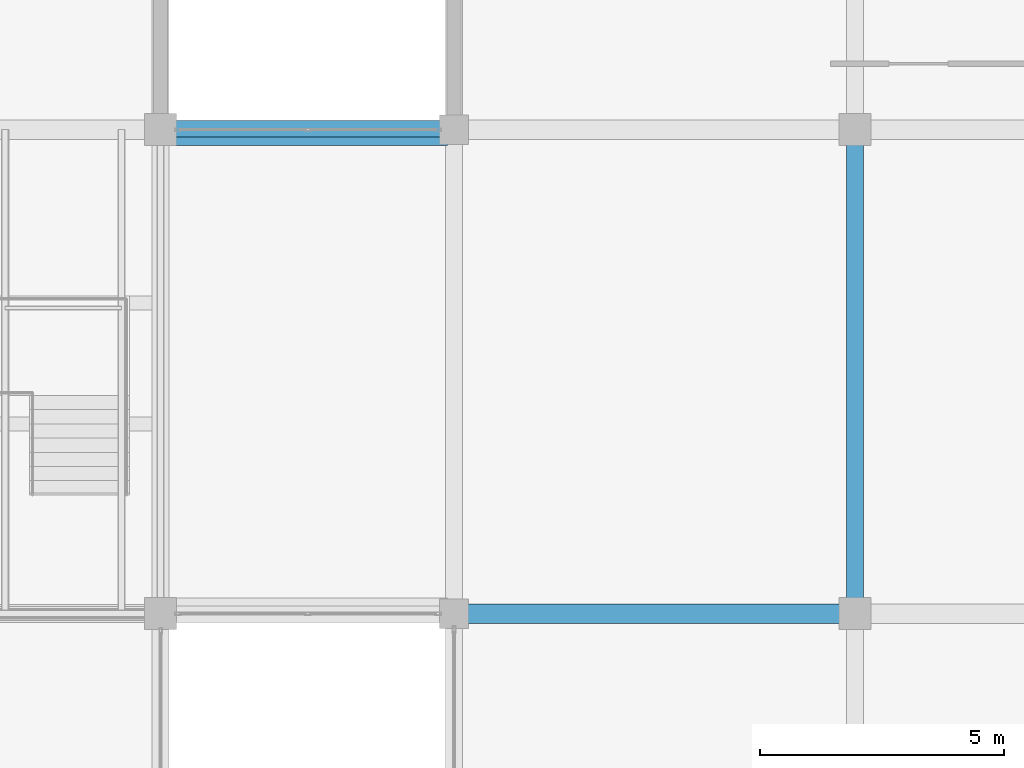
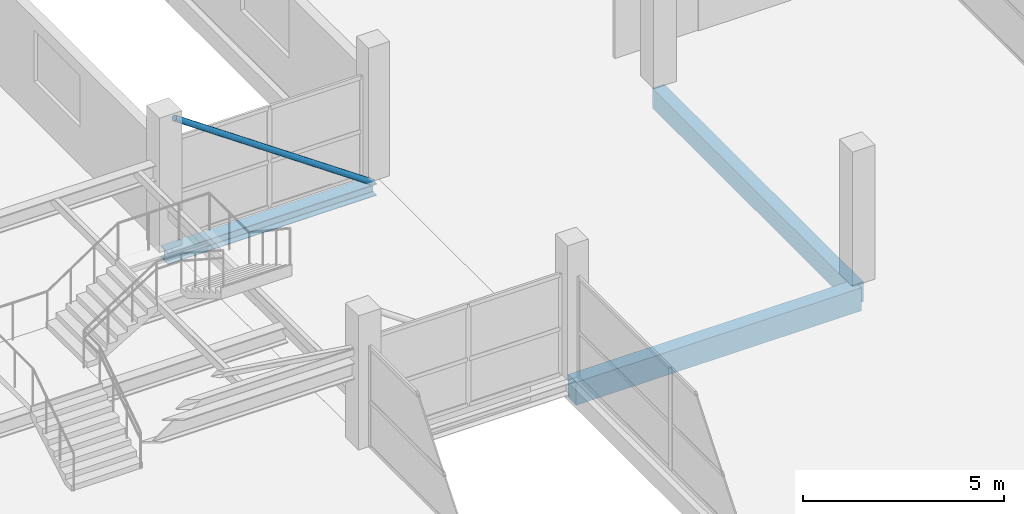
# One storey, part 41 of 70: 3 beams, 1 member.
"""IFC4 building model written with IfcOpenShell, lengths in metres."""

from ifc_helpers import new_model, si_unit, direction, frame, origin, origin_2d, place, context, subcontext, project, spatial, rectangle, hollow_circle, i_section, extrude, material, material_profile, profile_set, type_object, element, save


model = new_model("IFC4")

# Units and contexts
model_context = context("Model", 3, precision=1e-05, world=origin(), true_north=direction((0.0, 1.0)))
body_context = subcontext(model_context, "Body", "Model", "MODEL_VIEW")
ifc_project = project(units=[si_unit("LENGTHUNIT", "METRE"), si_unit("AREAUNIT", "SQUARE_METRE"), si_unit("VOLUMEUNIT", "CUBIC_METRE"), si_unit("PLANEANGLEUNIT", "RADIAN"), si_unit("MASSUNIT", "GRAM", prefix="KILO")], contexts=[model_context])

# Site, building, storey
site_placement = place(None, origin())
site = spatial("IfcSite", under=ifc_project, at=site_placement, CompositionType="ELEMENT")
building_placement = place(site_placement, origin())
building = spatial("IfcBuilding", under=site, at=building_placement, Name="Sillaruma Civic Art Gallery", CompositionType="ELEMENT")
storey_placement = place(building_placement, frame((0.0, 0.0, 66.300048828125)))
storey = spatial("IfcBuildingStorey", under=building, at=storey_placement, Name="L13", CompositionType="ELEMENT", Elevation=66.300048828125)

# Beams
ifc_material_1 = material(Name="Concrete H35 (35 MPa)", Category="concrete")
ifc_material_profile_1 = material_profile(ifc_material_1, rectangle(XDim=0.35009765625, YDim=0.60009765625, at=origin_2d()), Name="RCB350x600")
ifc_profile_set_1 = profile_set([ifc_material_profile_1], Name="Concrete H35 (35 MPa)")
beam_type_1 = type_object("IfcBeamType", Name="BM-BEAM-RCB350x600", PredefinedType="BEAM", material=ifc_profile_set_1)
beam_1_placement = place(storey_placement, frame((106.199951171875, 69.300048828125, -0.530029296875), z_axis=(0.0, 1.0, 0.0), x_axis=(-1.0, 0.0, 0.0)))
element("IfcBeam", 1, at=beam_1_placement, inside=storey, type_object=beam_type_1, Name="Beam BM-06 (L12:M:8-9)", PredefinedType="BEAM", context=body_context, shape_type="SweptSolid", body=[
    extrude(rectangle(XDim=0.35009765625, YDim=0.60009765625, at=origin_2d()), origin(), (0.0, 0.0, 1.0), 9.89990234375),
])
ifc_material_profile_2 = material_profile(ifc_material_1, rectangle(XDim=0.39990234375, YDim=0.699951171875, at=origin_2d()), Name="RCB400x700")
ifc_profile_set_2 = profile_set([ifc_material_profile_2], Name="Concrete H35 (35 MPa)")
beam_type_2 = type_object("IfcBeamType", Name="BM-BEAM-RCB400x700", PredefinedType="BEAM", material=ifc_profile_set_2)
beam_2_placement = place(storey_placement, frame((98.0, 69.300048828125, -0.580078125), z_axis=(1.0, 0.0, 0.0), x_axis=(0.0, 1.0, 0.0)))
element("IfcBeam", 2, at=beam_2_placement, inside=storey, type_object=beam_type_2, Name="Beam BM-04 (L12:8:L-M)", PredefinedType="BEAM", context=body_context, shape_type="SweptSolid", body=[
    extrude(rectangle(XDim=0.39990234375, YDim=0.699951171875, at=origin_2d()), origin(), (0.0, 0.0, 1.0), 8.199951171875),
])
ifc_material_2 = material(Name="Structural Steel ASTM A992 Gr.50", Category="steel")
ifc_material_profile_3 = material_profile(ifc_material_2, i_section(OverallWidth=0.368896484375, OverallDepth=0.35595703125, WebThickness=0.01123046875, FlangeThickness=0.01806640625, FilletRadius=0.014892578125, at=origin_2d()), Name="W360x134")
ifc_profile_set_3 = profile_set([ifc_material_profile_3], Name="Structural Steel ASTM A992 Gr.50")
beam_type_3 = type_object("IfcBeamType", Name="BM-BRIDGE-W360x134", PredefinedType="SPANDREL", material=ifc_profile_set_3)
beam_3_placement = place(storey_placement, frame((92.0, 79.199951171875, -0.387939453125), z_axis=(1.0, 0.0, 0.0), x_axis=(0.0, 1.0, 0.0)))
element("IfcBeam", 3, at=beam_3_placement, inside=storey, type_object=beam_type_3, Name="Sky-Bridge Steel Edge Girder (BRG-N:L13:N)", PredefinedType="SPANDREL", context=body_context, shape_type="SweptSolid", body=[
    extrude(i_section(OverallWidth=0.368896484375, OverallDepth=0.35595703125, WebThickness=0.01123046875, FlangeThickness=0.01806640625, FilletRadius=0.014892578125, at=origin_2d()), origin(), (0.0, 0.0, 1.0), 6.0),
])

# Member
ifc_material_3 = material(Name="Structural Steel ASTM A500 Gr.C", Category="steel")
ifc_material_profile_4 = material_profile(ifc_material_3, hollow_circle(Radius=0.084228515625, WallThickness=0.007080078125, at=origin_2d()), Name="CHS168.3x7.1")
ifc_profile_set_4 = profile_set([ifc_material_profile_4], Name="Structural Steel ASTM A500 Gr.C")
member_type = type_object("IfcMemberType", Name="MEM-BRIDGE-BRACE", PredefinedType="BRACE", material=ifc_profile_set_4)
member_placement = place(storey_placement, frame((97.85009765625, 78.9599609375, -0.080078125), z_axis=(-0.821944981473, 0.0, 0.569566894606), x_axis=(0.0, -1.0, 0.0)))
element("IfcMember", 4, at=member_placement, inside=storey, type_object=member_type, Name="Sky-Bridge Elevation Truss Web Brace (BRG-N:L13:N)", PredefinedType="BRACE", context=body_context, shape_type="SweptSolid", body=[
    extrude(hollow_circle(Radius=0.084228515625, WallThickness=0.007080078125, at=origin_2d()), origin(), (0.0, 0.0, 1.0), 6.93505859375),
])

save(model, "model.ifc")
